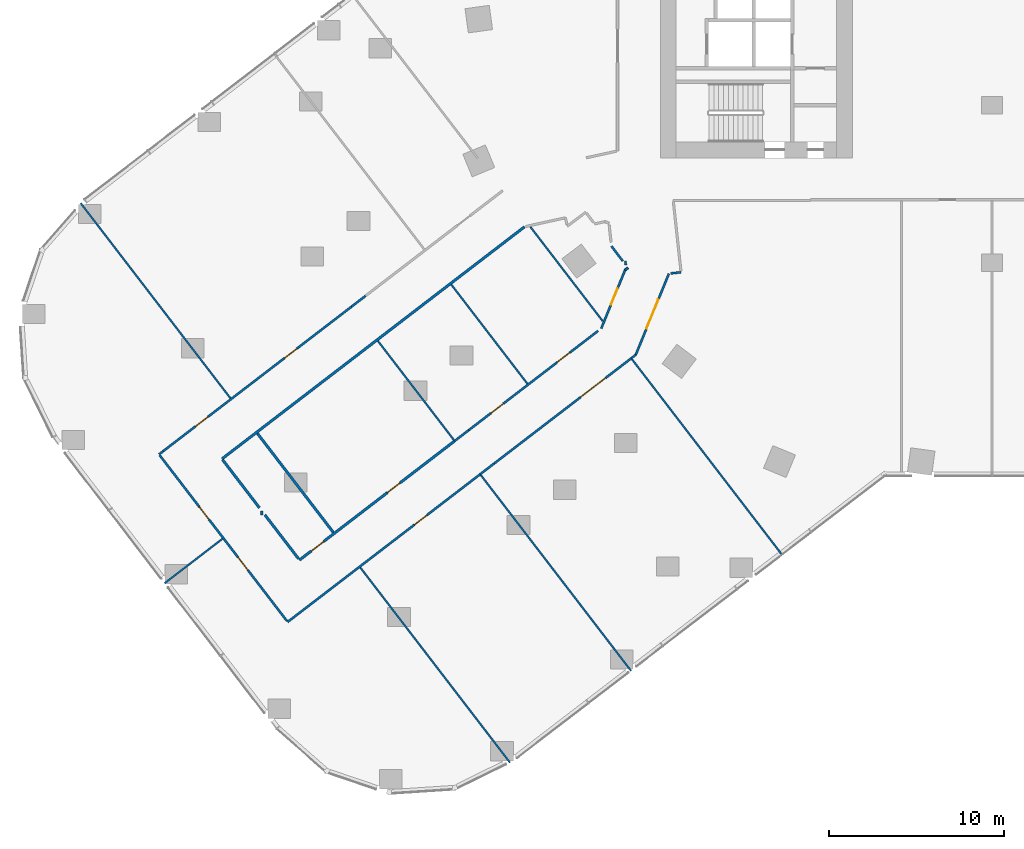
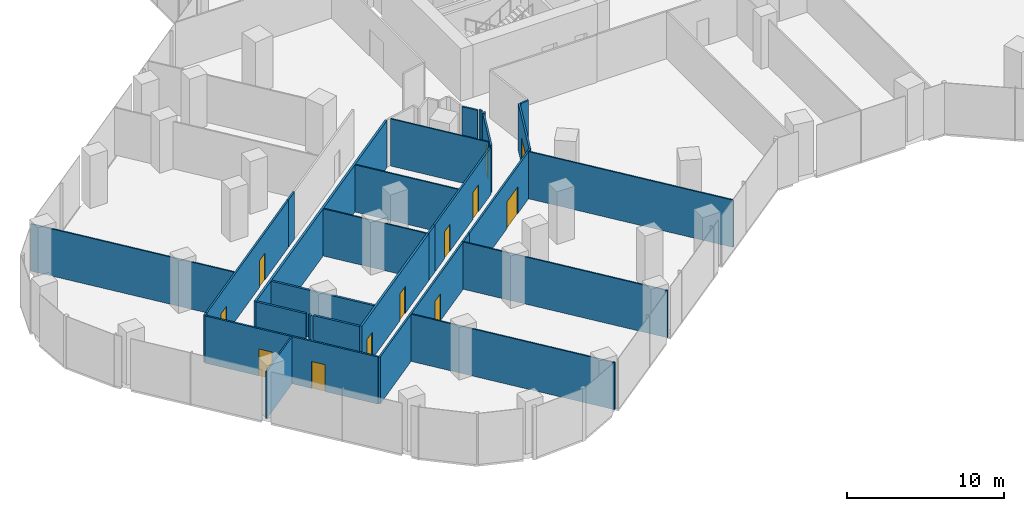
# One storey, part 21 of 29: 30 walls, 12 doors, 12 openings.
"""IFC4 building model written with IfcOpenShell, lengths in metres."""

from ifc_helpers import new_model, si_unit, direction, frame, frame_2d, origin, place, context, subcontext, project, spatial, rectangle, extrude, material, layer, layer_set, type_object, element, fill, save


model = new_model("IFC4")

# Units and contexts
model_context = context("Model", 3, precision=1e-05, world=origin(), true_north=direction((0.0, 1.0)))
body_context = subcontext(model_context, "Body", "Model", "MODEL_VIEW")
ifc_project = project(units=[si_unit("LENGTHUNIT", "METRE"), si_unit("AREAUNIT", "SQUARE_METRE"), si_unit("VOLUMEUNIT", "CUBIC_METRE"), si_unit("PLANEANGLEUNIT", "RADIAN"), si_unit("MASSUNIT", "GRAM", prefix="KILO")], contexts=[model_context])

# Site, building, storey
site_placement = place(None, origin())
site = spatial("IfcSite", under=ifc_project, at=site_placement, CompositionType="ELEMENT")
building_placement = place(site_placement, origin())
building = spatial("IfcBuilding", under=site, at=building_placement, Name="Orlundy Tower", CompositionType="ELEMENT")
storey_placement = place(building_placement, frame((0.0, 0.0, 25.10009765625)))
storey = spatial("IfcBuildingStorey", under=building, at=storey_placement, Name="L04", CompositionType="ELEMENT", Elevation=25.10009765625)

# Walls
ifc_material_1 = material(Name="Gypsum board partition")
ifc_layer_1 = layer(ifc_material_1, 0.10009765625)
ifc_layer_set_1 = layer_set([ifc_layer_1], Name="Floor partition 100")
wall_type_1 = type_object("IfcWallType", Name="Floor partition 100", PredefinedType="PARTITIONING", material=ifc_layer_set_1)
wall_1_placement = place(storey_placement, frame((-52.199951171875, -14.59912109375, 0.0), z_axis=(0.0, 0.0, 1.0), x_axis=(0.608818023879, -0.793309910312, 0.0)))
element("IfcWall", 1, at=wall_1_placement, inside=storey, type_object=wall_type_1, Name="wall-int-L04-015", PredefinedType="PARTITIONING", context=body_context, shape_type="SweptSolid", body=[
    extrude(rectangle(XDim=14.081298828125, YDim=0.10009765625, at=frame_2d((7.04052734375, 0.0))), origin(), (0.0, 0.0, 1.0), 3.679931640625),
])
wall_2_placement = place(storey_placement, frame((-36.18408203125, -35.470947265625, 0.0), z_axis=(0.0, 0.0, 1.0), x_axis=(0.608732507749, -0.793375531517, 0.0)))
element("IfcWall", 2, at=wall_2_placement, inside=storey, type_object=wall_type_1, Name="wall-int-L04-017", PredefinedType="PARTITIONING", context=body_context, shape_type="SweptSolid", body=[
    extrude(rectangle(XDim=14.081787109375, YDim=0.10009765625, at=frame_2d((7.041015625, 0.0))), origin(), (0.0, 0.0, 1.0), 3.679931640625),
])
wall_3_placement = place(storey_placement, frame((-35.178955078125, -22.489013671875, 0.0), z_axis=(0.0, 0.0, 1.0), x_axis=(0.608729798771, -0.793377610024, 0.0)))
element("IfcWall", 3, at=wall_3_placement, inside=storey, type_object=wall_type_1, Name="wall-int-L04-018", PredefinedType="PARTITIONING", context=body_context, shape_type="SweptSolid", body=[
    extrude(rectangle(XDim=7.147705078125, YDim=0.10009765625, at=frame_2d((3.57373046875, 0.0))), origin(), (0.0, 0.0, 1.0), 3.679931640625),
])
wall_4_placement = place(storey_placement, frame((-29.281982421875, -30.176025390625, 0.0), z_axis=(0.0, 0.0, 1.0), x_axis=(0.608773787241, -0.793343857333, 0.0)))
element("IfcWall", 4, at=wall_4_placement, inside=storey, type_object=wall_type_1, Name="wall-int-L04-019", PredefinedType="PARTITIONING", context=body_context, shape_type="SweptSolid", body=[
    extrude(rectangle(XDim=14.135009765625, YDim=0.10009765625, at=frame_2d((7.0673828125, 0.0))), origin(), (0.0, 0.0, 1.0), 3.679931640625),
])
wall_5_placement = place(storey_placement, frame((-30.97509765625, -19.260986328125, 0.0), z_axis=(0.0, 0.0, 1.0), x_axis=(0.60876639971, -0.793349526113, 0.0)))
element("IfcWall", 5, at=wall_5_placement, inside=storey, type_object=wall_type_1, Name="wall-int-L04-021", PredefinedType="PARTITIONING", context=body_context, shape_type="SweptSolid", body=[
    extrude(rectangle(XDim=7.162109375, YDim=0.10009765625, at=frame_2d((3.5810546875, 0.0))), origin(), (0.0, 0.0, 1.0), 3.679931640625),
])
wall_6_placement = place(storey_placement, frame((-26.43994140625, -15.9619140625, 0.0), z_axis=(0.0, 0.0, 1.0), x_axis=(0.608697215762, -0.79340260872, 0.0)))
element("IfcWall", 6, at=wall_6_placement, inside=storey, type_object=wall_type_1, Name="wall-int-L04-023", PredefinedType="PARTITIONING", context=body_context, shape_type="SweptSolid", body=[
    extrude(rectangle(XDim=6.7900390625, YDim=0.10009765625, at=frame_2d((3.39501953125, 0.0))), origin(), (0.0, 0.0, 1.0), 3.679931640625),
])
wall_7_placement = place(storey_placement, frame((-20.62890625, -23.534912109375, 0.0), z_axis=(0.0, 0.0, 1.0), x_axis=(0.608775561638, -0.793342495743, 0.0)))
element("IfcWall", 7, at=wall_7_placement, inside=storey, type_object=wall_type_1, Name="wall-int-L04-024", PredefinedType="PARTITIONING", context=body_context, shape_type="SweptSolid", body=[
    extrude(rectangle(XDim=14.136474609375, YDim=0.10009765625, at=frame_2d((7.068359375, 0.0))), origin(), (0.0, 0.0, 1.0), 3.679931640625),
])
wall_8_placement = place(storey_placement, frame((-47.403076171875, -36.3740234375, 0.0), z_axis=(0.0, 0.0, 1.0), x_axis=(0.793154740431, 0.609020162008, 0.0)))
element("IfcWall", 8, at=wall_8_placement, inside=storey, type_object=wall_type_1, Name="wall-int-L04-065", PredefinedType="PARTITIONING", context=body_context, shape_type="SweptSolid", body=[
    extrude(rectangle(XDim=4.18701171875, YDim=0.10009765625, at=frame_2d((2.093505859375, 0.0))), origin(), (0.0, 0.0, 1.0), 3.679931640625),
])
ifc_material_2 = material(Name="Gypsum board partition, double layer")
ifc_layer_2 = layer(ifc_material_2, 0.125)
ifc_layer_set_2 = layer_set([ifc_layer_2], Name="Floor partition 125")
wall_type_2 = type_object("IfcWallType", Name="Floor partition 125", PredefinedType="PARTITIONING", material=ifc_layer_set_2)
wall_9_placement = place(storey_placement, frame((-21.00390625, -17.904052734375, 0.0), z_axis=(0.0, 0.0, 1.0), x_axis=(0.105933230141, -0.994373245191, 0.0)))
element("IfcWall", 9, at=wall_9_placement, inside=storey, type_object=wall_type_2, Name="wall-int-L04-001", PredefinedType="PARTITIONING", context=body_context, shape_type="SweptSolid", body=[
    extrude(rectangle(XDim=0.244384765625, YDim=0.125, at=frame_2d((0.1220703125, 0.0))), origin(), (0.0, 0.0, 1.0), 3.679931640625),
])
wall_10_placement = place(storey_placement, frame((-21.801025390625, -17.06103515625, 0.0), z_axis=(0.0, 0.0, 1.0), x_axis=(0.604123687543, -0.796890563471, 0.0)))
element("IfcWall", 10, at=wall_10_placement, inside=storey, type_object=wall_type_2, Name="wall-int-L04-011", PredefinedType="PARTITIONING", context=body_context, shape_type="SweptSolid", body=[
    extrude(rectangle(XDim=1.077880859375, YDim=0.125, at=frame_2d((0.5390625, 0.0))), origin(), (0.0, 0.0, 1.0), 3.679931640625),
])

# Wall, openings, doors
wall_11_placement = place(storey_placement, frame((-40.384033203125, -38.534912109375, 0.0), z_axis=(0.0, 0.0, 1.0), x_axis=(-0.609026744184, 0.793149686294, 0.0)))
wall_11 = element("IfcWall", 11, at=wall_11_placement, inside=storey, type_object=wall_type_2, Name="wall-int-L04-012", PredefinedType="PARTITIONING", context=body_context, shape_type="SweptSolid", body=[
    extrude(rectangle(XDim=11.974853515625, YDim=0.125, at=frame_2d((5.9873046875, 0.0))), origin(), (0.0, 0.0, 1.0), 3.679931640625),
])
opening_1_placement = place(wall_11_placement, frame((3.68798828125, 0.0, 0.0)))
opening_1 = element("IfcOpeningElement", 12, at=opening_1_placement, cuts=wall_11, Name="Opening 05117", PredefinedType="OPENING", context=body_context, shape_type="SweptSolid", body=[
    extrude(rectangle(XDim=0.89990234375, YDim=2.10009765625, at=frame_2d((0.449951171875, 1.050048828125))), frame((0.0, 0.072509765625, 0.0), z_axis=(0.0, -1.0, 0.0), x_axis=(1.0, 0.0, 0.0)), (0.0, 0.0, 1.0), 0.14501953125),
])
opening_2_placement = place(wall_11_placement, frame((7.33837890625, 0.0, 0.0)))
opening_2 = element("IfcOpeningElement", 13, at=opening_2_placement, cuts=wall_11, Name="Opening 05119", PredefinedType="OPENING", context=body_context, shape_type="SweptSolid", body=[
    extrude(rectangle(XDim=0.89990234375, YDim=2.10009765625, at=frame_2d((0.449951171875, 1.050048828125))), frame((0.0, 0.072509765625, 0.0), z_axis=(0.0, -1.0, 0.0), x_axis=(1.0, 0.0, 0.0)), (0.0, 0.0, 1.0), 0.14501953125),
])
ifc_material_3 = material(Name="Timber door leaf", Category="wood")
door_type_1 = type_object("IfcDoorType", Name="Floor door single 900 FD30S", OperationType="NOTDEFINED", PredefinedType="DOOR", material=ifc_material_3)
door_1_placement = place(opening_1_placement, origin())
door_1 = element("IfcDoor", 14, at=door_1_placement, inside=storey, type_object=door_type_1, Name="Door 05117", OperationType="SINGLE_SWING_LEFT", OverallHeight=2.10009765625, OverallWidth=0.89990234375, PredefinedType="DOOR", context=body_context, shape_type="SweptSolid", body=[
    extrude(rectangle(XDim=0.89990234375, YDim=2.10009765625, at=frame_2d((0.449951171875, 1.050048828125))), frame((0.0, 0.02490234375, 0.0), z_axis=(0.0, -1.0, 0.0), x_axis=(1.0, 0.0, 0.0)), (0.0, 0.0, 1.0), 0.050048828125),
])
fill(opening_1, door_1)
door_2_placement = place(opening_2_placement, origin())
door_2 = element("IfcDoor", 15, at=door_2_placement, inside=storey, type_object=door_type_1, Name="Door 05119", OperationType="SINGLE_SWING_RIGHT", OverallHeight=2.10009765625, OverallWidth=0.89990234375, PredefinedType="DOOR", context=body_context, shape_type="SweptSolid", body=[
    extrude(rectangle(XDim=0.89990234375, YDim=2.10009765625, at=frame_2d((0.449951171875, 1.050048828125))), frame((0.0, 0.02490234375, 0.0), z_axis=(0.0, -1.0, 0.0), x_axis=(1.0, 0.0, 0.0)), (0.0, 0.0, 1.0), 0.050048828125),
])
fill(opening_2, door_2)

# Walls
wall_12_placement = place(storey_placement, frame((-18.406005859375, -18.623046875, 0.0), z_axis=(0.0, 0.0, 1.0), x_axis=(0.99401818143, 0.109214719645, 0.0)))
element("IfcWall", 16, at=wall_12_placement, inside=storey, type_object=wall_type_2, Name="wall-int-L04-050", PredefinedType="PARTITIONING", context=body_context, shape_type="SweptSolid", body=[
    extrude(rectangle(XDim=0.5947265625, YDim=0.125, at=frame_2d((0.29736328125, 0.0))), origin(), (0.0, 0.0, 1.0), 3.679931640625),
])
wall_13_placement = place(storey_placement, frame((-21.01904296875, -18.427978515625, 0.0), z_axis=(0.0, 0.0, 1.0), x_axis=(0.797092148154, 0.603857687995, 0.0)))
element("IfcWall", 17, at=wall_13_placement, inside=storey, type_object=wall_type_2, Name="wall-int-L04-057", PredefinedType="PARTITIONING", context=body_context, shape_type="SweptSolid", body=[
    extrude(rectangle(XDim=0.2021484375, YDim=0.125, at=frame_2d((0.10107421875, 0.0))), origin(), (0.0, 0.0, 1.0), 3.679931640625),
])
wall_14_placement = place(storey_placement, frame((-29.320068359375, -30.1240234375, 0.0), z_axis=(0.0, 0.0, 1.0), x_axis=(0.793776779764, 0.608209194198, 0.0)))
element("IfcWall", 18, at=wall_14_placement, inside=storey, type_object=wall_type_2, Name="wall-int-L04-058", PredefinedType="PARTITIONING", context=body_context, shape_type="SweptSolid", body=[
    extrude(rectangle(XDim=1.014404296875, YDim=0.125, at=frame_2d((0.50732421875, 0.0))), origin(), (0.0, 0.0, 1.0), 3.679931640625),
])
wall_15_placement = place(storey_placement, frame((-20.66796875, -23.48388671875, 0.0), z_axis=(0.0, 0.0, 1.0), x_axis=(0.794079485755, 0.607813927368, 0.0)))
element("IfcWall", 19, at=wall_15_placement, inside=storey, type_object=wall_type_2, Name="wall-int-L04-059", PredefinedType="PARTITIONING", context=body_context, shape_type="SweptSolid", body=[
    extrude(rectangle(XDim=0.32373046875, YDim=0.125, at=frame_2d((0.161865234375, 0.0))), origin(), (0.0, 0.0, 1.0), 3.679931640625),
])

# Wall, opening, door
wall_16_placement = place(storey_placement, frame((-29.320068359375, -30.126953125, 0.0), z_axis=(0.0, 0.0, 1.0), x_axis=(-0.793456491448, -0.608626976217, 0.0)))
wall_16 = element("IfcWall", 20, at=wall_16_placement, inside=storey, type_object=wall_type_2, Name="wall-int-L04-060", PredefinedType="PARTITIONING", context=body_context, shape_type="SweptSolid", body=[
    extrude(rectangle(XDim=13.8984375, YDim=0.125, at=frame_2d((6.94921875, 0.0))), origin(), (0.0, 0.0, 1.0), 3.679931640625),
])
opening_3_placement = place(wall_16_placement, frame((3.84912109375, 0.0, 0.0)))
opening_3 = element("IfcOpeningElement", 21, at=opening_3_placement, cuts=wall_16, Name="Opening 05112", PredefinedType="OPENING", context=body_context, shape_type="SweptSolid", body=[
    extrude(rectangle(XDim=0.89990234375, YDim=2.10009765625, at=frame_2d((0.449951171875, 1.050048828125))), frame((0.0, 0.072509765625, 0.0), z_axis=(0.0, -1.0, 0.0), x_axis=(1.0, 0.0, 0.0)), (0.0, 0.0, 1.0), 0.14501953125),
])
door_3_placement = place(opening_3_placement, origin())
door_3 = element("IfcDoor", 22, at=door_3_placement, inside=storey, type_object=door_type_1, Name="Door 05112", OperationType="SINGLE_SWING_LEFT", OverallHeight=2.10009765625, OverallWidth=0.89990234375, PredefinedType="DOOR", context=body_context, shape_type="SweptSolid", body=[
    extrude(rectangle(XDim=0.89990234375, YDim=2.10009765625, at=frame_2d((0.449951171875, 1.050048828125))), frame((0.0, 0.02490234375, 0.0), z_axis=(0.0, -1.0, 0.0), x_axis=(1.0, 0.0, 0.0)), (0.0, 0.0, 1.0), 0.050048828125),
])
fill(opening_3, door_3)

wall_17_placement = place(storey_placement, frame((-20.6689453125, -23.487060546875, 0.0), z_axis=(0.0, 0.0, 1.0), x_axis=(-0.793372266626, -0.608736762935, 0.0)))
wall_17 = element("IfcWall", 23, at=wall_17_placement, inside=storey, type_object=wall_type_2, Name="wall-int-L04-061", PredefinedType="PARTITIONING", context=body_context, shape_type="SweptSolid", body=[
    extrude(rectangle(XDim=9.889404296875, YDim=0.125, at=frame_2d((4.94482421875, 0.0))), origin(), (0.0, 0.0, 1.0), 3.679931640625),
])
opening_4_placement = place(wall_17_placement, frame((1.848876953125, 0.0, 0.0)))
opening_4 = element("IfcOpeningElement", 24, at=opening_4_placement, cuts=wall_17, Name="Opening 05111", PredefinedType="OPENING", context=body_context, shape_type="SweptSolid", body=[
    extrude(rectangle(XDim=1.800048828125, YDim=2.10009765625, at=frame_2d((0.89990234375, 1.050048828125))), frame((0.0, 0.072509765625, 0.0), z_axis=(0.0, -1.0, 0.0), x_axis=(1.0, 0.0, 0.0)), (0.0, 0.0, 1.0), 0.14501953125),
])
ifc_material_4 = material(Name="Timber door leaf", Category="wood")
door_type_2 = type_object("IfcDoorType", Name="Floor door double 1800 FD30S", OperationType="NOTDEFINED", PredefinedType="DOOR", material=ifc_material_4)
door_4_placement = place(opening_4_placement, origin())
door_4 = element("IfcDoor", 25, at=door_4_placement, inside=storey, type_object=door_type_2, Name="Door 05111", OperationType="DOUBLE_DOOR_SINGLE_SWING", OverallHeight=2.10009765625, OverallWidth=1.800048828125, PredefinedType="DOOR", context=body_context, shape_type="SweptSolid", body=[
    extrude(rectangle(XDim=1.800048828125, YDim=2.10009765625, at=frame_2d((0.89990234375, 1.050048828125))), frame((0.0, 0.02490234375, 0.0), z_axis=(0.0, -1.0, 0.0), x_axis=(1.0, 0.0, 0.0)), (0.0, 0.0, 1.0), 0.050048828125),
])
fill(opening_4, door_4)

# Wall
wall_18_placement = place(storey_placement, frame((-30.781982421875, -28.219970703125, 0.0), z_axis=(0.0, 0.0, 1.0), x_axis=(0.793579274907, 0.608466872096, 0.0)))
element("IfcWall", 26, at=wall_18_placement, inside=storey, type_object=wall_type_2, Name="wall-int-L04-062", PredefinedType="PARTITIONING", context=body_context, shape_type="SweptSolid", body=[
    extrude(rectangle(XDim=1.015625, YDim=0.125, at=frame_2d((0.5078125, 0.0))), origin(), (0.0, 0.0, 1.0), 3.679931640625),
])

# Wall, openings, doors
wall_19_placement = place(storey_placement, frame((-29.97607421875, -27.60205078125, 0.0), z_axis=(0.0, 0.0, 1.0), x_axis=(0.793237948633, 0.608911780843, 0.0)))
wall_19 = element("IfcWall", 27, at=wall_19_placement, inside=storey, type_object=wall_type_2, Name="wall-int-L04-064", PredefinedType="PARTITIONING", context=body_context, shape_type="SweptSolid", body=[
    extrude(rectangle(XDim=9.33642578125, YDim=0.125, at=frame_2d((4.668212890625, 0.0))), origin(), (0.0, 0.0, 1.0), 3.679931640625),
])
opening_5_placement = place(wall_19_placement, frame((6.385009765625, 0.0, 0.0)))
opening_5 = element("IfcOpeningElement", 28, at=opening_5_placement, cuts=wall_19, Name="Opening 05113", PredefinedType="OPENING", context=body_context, shape_type="SweptSolid", body=[
    extrude(rectangle(XDim=0.89990234375, YDim=2.10009765625, at=frame_2d((0.449951171875, 1.050048828125))), frame((0.0, 0.072509765625, 0.0), z_axis=(0.0, -1.0, 0.0), x_axis=(1.0, 0.0, 0.0)), (0.0, 0.0, 1.0), 0.14501953125),
])
opening_6_placement = place(wall_19_placement, frame((1.60009765625, 0.0, 0.0)))
opening_6 = element("IfcOpeningElement", 29, at=opening_6_placement, cuts=wall_19, Name="Opening 05114", PredefinedType="OPENING", context=body_context, shape_type="SweptSolid", body=[
    extrude(rectangle(XDim=0.89990234375, YDim=2.10009765625, at=frame_2d((0.449951171875, 1.050048828125))), frame((0.0, 0.072509765625, 0.0), z_axis=(0.0, -1.0, 0.0), x_axis=(1.0, 0.0, 0.0)), (0.0, 0.0, 1.0), 0.14501953125),
])
door_5_placement = place(opening_5_placement, origin())
door_5 = element("IfcDoor", 30, at=door_5_placement, inside=storey, type_object=door_type_1, Name="Door 05113", OperationType="SINGLE_SWING_RIGHT", OverallHeight=2.10009765625, OverallWidth=0.89990234375, PredefinedType="DOOR", context=body_context, shape_type="SweptSolid", body=[
    extrude(rectangle(XDim=0.89990234375, YDim=2.10009765625, at=frame_2d((0.449951171875, 1.050048828125))), frame((0.0, 0.02490234375, 0.0), z_axis=(0.0, -1.0, 0.0), x_axis=(1.0, 0.0, 0.0)), (0.0, 0.0, 1.0), 0.050048828125),
])
fill(opening_5, door_5)
door_6_placement = place(opening_6_placement, origin())
door_6 = element("IfcDoor", 31, at=door_6_placement, inside=storey, type_object=door_type_1, Name="Door 05114", OperationType="SINGLE_SWING_LEFT", OverallHeight=2.10009765625, OverallWidth=0.89990234375, PredefinedType="DOOR", context=body_context, shape_type="SweptSolid", body=[
    extrude(rectangle(XDim=0.89990234375, YDim=2.10009765625, at=frame_2d((0.449951171875, 1.050048828125))), frame((0.0, 0.02490234375, 0.0), z_axis=(0.0, -1.0, 0.0), x_axis=(1.0, 0.0, 0.0)), (0.0, 0.0, 1.0), 0.050048828125),
])
fill(opening_6, door_6)

# Wall
wall_20_placement = place(storey_placement, frame((-36.68701171875, -20.52392578125, 0.0), z_axis=(0.0, 0.0, 1.0), x_axis=(0.793579274907, 0.608466872096, 0.0)))
element("IfcWall", 32, at=wall_20_placement, inside=storey, type_object=wall_type_2, Name="wall-int-L04-067", PredefinedType="PARTITIONING", context=body_context, shape_type="SweptSolid", body=[
    extrude(rectangle(XDim=1.015625, YDim=0.125, at=frame_2d((0.5078125, 0.0))), origin(), (0.0, 0.0, 1.0), 3.679931640625),
])

# Wall, openings, doors
wall_21_placement = place(storey_placement, frame((-47.47607421875, -28.802978515625, 0.0), z_axis=(0.0, 0.0, 1.0), x_axis=(0.793430085013, 0.608661400284, 0.0)))
wall_21 = element("IfcWall", 33, at=wall_21_placement, inside=storey, type_object=wall_type_2, Name="wall-int-L04-068", PredefinedType="PARTITIONING", context=body_context, shape_type="SweptSolid", body=[
    extrude(rectangle(XDim=13.600341796875, YDim=0.125, at=frame_2d((6.80029296875, 0.0))), origin(), (0.0, 0.0, 1.0), 3.679931640625),
])
opening_7_placement = place(wall_21_placement, frame((2.326416015625, 0.0, 0.0)))
opening_7 = element("IfcOpeningElement", 34, at=opening_7_placement, cuts=wall_21, Name="Opening 05118", PredefinedType="OPENING", context=body_context, shape_type="SweptSolid", body=[
    extrude(rectangle(XDim=0.89990234375, YDim=2.10009765625, at=frame_2d((0.449951171875, 1.050048828125))), frame((0.0, 0.072509765625, 0.0), z_axis=(0.0, -1.0, 0.0), x_axis=(1.0, 0.0, 0.0)), (0.0, 0.0, 1.0), 0.14501953125),
])
opening_8_placement = place(wall_21_placement, frame((8.75048828125, 0.0, 0.0)))
opening_8 = element("IfcOpeningElement", 35, at=opening_8_placement, cuts=wall_21, Name="Opening 05121", PredefinedType="OPENING", context=body_context, shape_type="SweptSolid", body=[
    extrude(rectangle(XDim=0.89990234375, YDim=2.10009765625, at=frame_2d((0.449951171875, 1.050048828125))), frame((0.0, 0.072509765625, 0.0), z_axis=(0.0, -1.0, 0.0), x_axis=(1.0, 0.0, 0.0)), (0.0, 0.0, 1.0), 0.14501953125),
])
door_7_placement = place(opening_7_placement, origin())
door_7 = element("IfcDoor", 36, at=door_7_placement, inside=storey, type_object=door_type_1, Name="Door 05118", OperationType="SINGLE_SWING_LEFT", OverallHeight=2.10009765625, OverallWidth=0.89990234375, PredefinedType="DOOR", context=body_context, shape_type="SweptSolid", body=[
    extrude(rectangle(XDim=0.89990234375, YDim=2.10009765625, at=frame_2d((0.449951171875, 1.050048828125))), frame((0.0, 0.02490234375, 0.0), z_axis=(0.0, -1.0, 0.0), x_axis=(1.0, 0.0, 0.0)), (0.0, 0.0, 1.0), 0.050048828125),
])
fill(opening_7, door_7)
door_8_placement = place(opening_8_placement, origin())
door_8 = element("IfcDoor", 37, at=door_8_placement, inside=storey, type_object=door_type_1, Name="Door 05121", OperationType="SINGLE_SWING_RIGHT", OverallHeight=2.10009765625, OverallWidth=0.89990234375, PredefinedType="DOOR", context=body_context, shape_type="SweptSolid", body=[
    extrude(rectangle(XDim=0.89990234375, YDim=2.10009765625, at=frame_2d((0.449951171875, 1.050048828125))), frame((0.0, 0.02490234375, 0.0), z_axis=(0.0, -1.0, 0.0), x_axis=(1.0, 0.0, 0.0)), (0.0, 0.0, 1.0), 0.050048828125),
])
fill(opening_8, door_8)

# Wall
wall_22_placement = place(storey_placement, frame((-47.714111328125, -28.986083984375, 0.0), z_axis=(0.0, 0.0, 1.0), x_axis=(0.792623989105, 0.60971076085, 0.0)))
element("IfcWall", 38, at=wall_22_placement, inside=storey, type_object=wall_type_2, Name="wall-int-L04-070", PredefinedType="PARTITIONING", context=body_context, shape_type="SweptSolid", body=[
    extrude(rectangle(XDim=0.30029296875, YDim=0.125, at=frame_2d((0.150146484375, 0.0))), origin(), (0.0, 0.0, 1.0), 3.679931640625),
])

# Wall, opening, door
wall_23_placement = place(storey_placement, frame((-18.510009765625, -18.634033203125, 0.0), z_axis=(0.0, 0.0, 1.0), x_axis=(-0.377932698015, -0.925833071224, 0.0)))
wall_23 = element("IfcWall", 39, at=wall_23_placement, inside=storey, type_object=wall_type_2, Name="wall-int-L04-084", PredefinedType="PARTITIONING", context=body_context, shape_type="SweptSolid", body=[
    extrude(rectangle(XDim=5.0244140625, YDim=0.125, at=frame_2d((2.51220703125, 0.0))), origin(), (0.0, 0.0, 1.0), 3.679931640625),
])
opening_9_placement = place(wall_23_placement, frame((1.60009765625, 0.0, 0.0)))
opening_9 = element("IfcOpeningElement", 40, at=opening_9_placement, cuts=wall_23, Name="Opening 05124", PredefinedType="OPENING", context=body_context, shape_type="SweptSolid", body=[
    extrude(rectangle(XDim=1.800048828125, YDim=2.10009765625, at=frame_2d((0.89990234375, 1.050048828125))), frame((0.0, 0.072509765625, 0.0), z_axis=(0.0, -1.0, 0.0), x_axis=(1.0, 0.0, 0.0)), (0.0, 0.0, 1.0), 0.14501953125),
])
door_9_placement = place(opening_9_placement, origin())
door_9 = element("IfcDoor", 41, at=door_9_placement, inside=storey, type_object=door_type_2, Name="Door 05124", OperationType="DOUBLE_DOOR_SINGLE_SWING", OverallHeight=2.10009765625, OverallWidth=1.800048828125, PredefinedType="DOOR", context=body_context, shape_type="SweptSolid", body=[
    extrude(rectangle(XDim=1.800048828125, YDim=2.10009765625, at=frame_2d((0.89990234375, 1.050048828125))), frame((0.0, 0.02490234375, 0.0), z_axis=(0.0, -1.0, 0.0), x_axis=(1.0, 0.0, 0.0)), (0.0, 0.0, 1.0), 0.050048828125),
])
fill(opening_9, door_9)

wall_24_placement = place(storey_placement, frame((-22.386962890625, -21.778076171875, 0.0), z_axis=(0.0, 0.0, 1.0), x_axis=(0.377843834017, 0.925869341265, 0.0)))
wall_24 = element("IfcWall", 42, at=wall_24_placement, inside=storey, type_object=wall_type_2, Name="wall-int-L04-085", PredefinedType="PARTITIONING", context=body_context, shape_type="SweptSolid", body=[
    extrude(rectangle(XDim=3.615234375, YDim=0.125, at=frame_2d((1.8076171875, 0.0))), origin(), (0.0, 0.0, 1.0), 3.679931640625),
])
opening_10_placement = place(wall_24_placement, frame((1.475830078125, 0.0, 0.0)))
opening_10 = element("IfcOpeningElement", 43, at=opening_10_placement, cuts=wall_24, Name="Opening 05123", PredefinedType="OPENING", context=body_context, shape_type="SweptSolid", body=[
    extrude(rectangle(XDim=1.0, YDim=2.10009765625, at=frame_2d((0.5, 1.050048828125))), frame((0.0, 0.072509765625, 0.0), z_axis=(0.0, -1.0, 0.0), x_axis=(1.0, 0.0, 0.0)), (0.0, 0.0, 1.0), 0.14501953125),
])
ifc_material_5 = material(Name="Timber door leaf", Category="wood")
door_type_3 = type_object("IfcDoorType", Name="Floor door wide 1000 FD30S", OperationType="NOTDEFINED", PredefinedType="DOOR", material=ifc_material_5)
door_10_placement = place(opening_10_placement, origin())
door_10 = element("IfcDoor", 44, at=door_10_placement, inside=storey, type_object=door_type_3, Name="Door 05123", OperationType="SINGLE_SWING_RIGHT", OverallHeight=2.10009765625, OverallWidth=1.0, PredefinedType="DOOR", context=body_context, shape_type="SweptSolid", body=[
    extrude(rectangle(XDim=1.0, YDim=2.10009765625, at=frame_2d((0.5, 1.050048828125))), frame((0.0, 0.02490234375, 0.0), z_axis=(0.0, -1.0, 0.0), x_axis=(1.0, 0.0, 0.0)), (0.0, 0.0, 1.0), 0.050048828125),
])
fill(opening_10, door_10)

# Walls
ifc_material_6 = material(Name="Blockwork shaft wall", Category="masonry")
ifc_layer_3 = layer(ifc_material_6, 0.14990234375)
ifc_layer_set_3 = layer_set([ifc_layer_3], Name="Floor shaft wall 150")
wall_type_3 = type_object("IfcWallType", Name="Floor shaft wall 150", PredefinedType="PARTITIONING", material=ifc_layer_set_3)
wall_25_placement = place(storey_placement, frame((-44.06396484375, -29.306884765625, 0.0), z_axis=(0.0, 0.0, 1.0), x_axis=(0.608421148176, -0.793614331053, 0.0)))
element("IfcWall", 45, at=wall_25_placement, inside=storey, type_object=wall_type_3, Name="wall-int-L04-013", PredefinedType="PARTITIONING", context=body_context, shape_type="SweptSolid", body=[
    extrude(rectangle(XDim=3.451416015625, YDim=0.14990234375, at=frame_2d((1.7255859375, 0.0))), origin(), (0.0, 0.0, 1.0), 3.679931640625),
])
wall_26_placement = place(storey_placement, frame((-41.653076171875, -32.449951171875, 0.0), z_axis=(0.0, 0.0, 1.0), x_axis=(0.60867753108, -0.793417710389, 0.0)))
element("IfcWall", 46, at=wall_26_placement, inside=storey, type_object=wall_type_3, Name="wall-int-L04-014", PredefinedType="PARTITIONING", context=body_context, shape_type="SweptSolid", body=[
    extrude(rectangle(XDim=3.1875, YDim=0.14990234375, at=frame_2d((1.59375, 0.0))), origin(), (0.0, 0.0, 1.0), 3.679931640625),
])
wall_27_placement = place(storey_placement, frame((-42.0810546875, -27.785888671875, 0.0), z_axis=(0.0, 0.0, 1.0), x_axis=(0.608779288924, -0.793339635577, 0.0)))
element("IfcWall", 47, at=wall_27_placement, inside=storey, type_object=wall_type_3, Name="wall-int-L04-016", PredefinedType="PARTITIONING", context=body_context, shape_type="SweptSolid", body=[
    extrude(rectangle(XDim=7.147216796875, YDim=0.14990234375, at=frame_2d((3.57373046875, 0.0))), origin(), (0.0, 0.0, 1.0), 3.679931640625),
])

# Wall, openings, doors
wall_28_placement = place(storey_placement, frame((-39.6669921875, -35.0380859375, 0.0), z_axis=(0.0, 0.0, 1.0), x_axis=(0.793293656215, 0.608839202917, 0.0)))
wall_28 = element("IfcWall", 48, at=wall_28_placement, inside=storey, type_object=wall_type_3, Name="wall-int-L04-063", PredefinedType="PARTITIONING", context=body_context, shape_type="SweptSolid", body=[
    extrude(rectangle(XDim=11.2001953125, YDim=0.14990234375, at=frame_2d((5.60009765625, 0.0))), origin(), (0.0, 0.0, 1.0), 3.679931640625),
])
opening_11_placement = place(wall_28_placement, frame((6.349853515625, 0.0, 0.0)))
opening_11 = element("IfcOpeningElement", 49, at=opening_11_placement, cuts=wall_28, Name="Opening 05115", PredefinedType="OPENING", context=body_context, shape_type="SweptSolid", body=[
    extrude(rectangle(XDim=0.89990234375, YDim=2.10009765625, at=frame_2d((0.449951171875, 1.050048828125))), frame((0.0, 0.0849609375, 0.0), z_axis=(0.0, -1.0, 0.0), x_axis=(1.0, 0.0, 0.0)), (0.0, 0.0, 1.0), 0.169921875),
])
opening_12_placement = place(wall_28_placement, frame((0.85009765625, 0.0, 0.0)))
opening_12 = element("IfcOpeningElement", 50, at=opening_12_placement, cuts=wall_28, Name="Opening 05116", PredefinedType="OPENING", context=body_context, shape_type="SweptSolid", body=[
    extrude(rectangle(XDim=0.89990234375, YDim=2.10009765625, at=frame_2d((0.449951171875, 1.050048828125))), frame((0.0, 0.0849609375, 0.0), z_axis=(0.0, -1.0, 0.0), x_axis=(1.0, 0.0, 0.0)), (0.0, 0.0, 1.0), 0.169921875),
])
ifc_material_7 = material(Name="Timber door leaf", Category="wood")
door_type_4 = type_object("IfcDoorType", Name="Floor door single 900 FD60", OperationType="NOTDEFINED", PredefinedType="DOOR", material=ifc_material_7)
door_11_placement = place(opening_11_placement, origin())
door_11 = element("IfcDoor", 51, at=door_11_placement, inside=storey, type_object=door_type_4, Name="Door 05115", OperationType="SINGLE_SWING_RIGHT", OverallHeight=2.10009765625, OverallWidth=0.89990234375, PredefinedType="DOOR", context=body_context, shape_type="SweptSolid", body=[
    extrude(rectangle(XDim=0.89990234375, YDim=2.10009765625, at=frame_2d((0.449951171875, 1.050048828125))), frame((0.0, 0.02490234375, 0.0), z_axis=(0.0, -1.0, 0.0), x_axis=(1.0, 0.0, 0.0)), (0.0, 0.0, 1.0), 0.050048828125),
])
fill(opening_11, door_11)
door_12_placement = place(opening_12_placement, origin())
door_12 = element("IfcDoor", 52, at=door_12_placement, inside=storey, type_object=door_type_4, Name="Door 05116", OperationType="SINGLE_SWING_LEFT", OverallHeight=2.10009765625, OverallWidth=0.89990234375, PredefinedType="DOOR", context=body_context, shape_type="SweptSolid", body=[
    extrude(rectangle(XDim=0.89990234375, YDim=2.10009765625, at=frame_2d((0.449951171875, 1.050048828125))), frame((0.0, 0.02490234375, 0.0), z_axis=(0.0, -1.0, 0.0), x_axis=(1.0, 0.0, 0.0)), (0.0, 0.0, 1.0), 0.050048828125),
])
fill(opening_12, door_12)

# Walls
wall_29_placement = place(storey_placement, frame((-44.110107421875, -29.2470703125, 0.0), z_axis=(0.0, 0.0, 1.0), x_axis=(0.793471030698, 0.608608021179, 0.0)))
element("IfcWall", 53, at=wall_29_placement, inside=storey, type_object=wall_type_3, Name="wall-int-L04-066", PredefinedType="PARTITIONING", context=body_context, shape_type="SweptSolid", body=[
    extrude(rectangle(XDim=21.83837890625, YDim=0.14990234375, at=frame_2d((10.919189453125, 0.0))), origin(), (0.0, 0.0, 1.0), 3.679931640625),
])
wall_30_placement = place(storey_placement, frame((-41.827880859375, -32.448974609375, 0.0), z_axis=(0.0, 0.0, 1.0), x_axis=(0.0, 1.0, 0.0)))
element("IfcWall", 54, at=wall_30_placement, inside=storey, type_object=wall_type_3, Name="wall-int-L04-098", PredefinedType="PARTITIONING", context=body_context, shape_type="SweptSolid", body=[
    extrude(rectangle(XDim=0.22802734375, YDim=0.14990234375, at=frame_2d((0.114013671875, 0.0))), origin(), (0.0, 0.0, 1.0), 3.679931640625),
])

save(model, "model.ifc")
